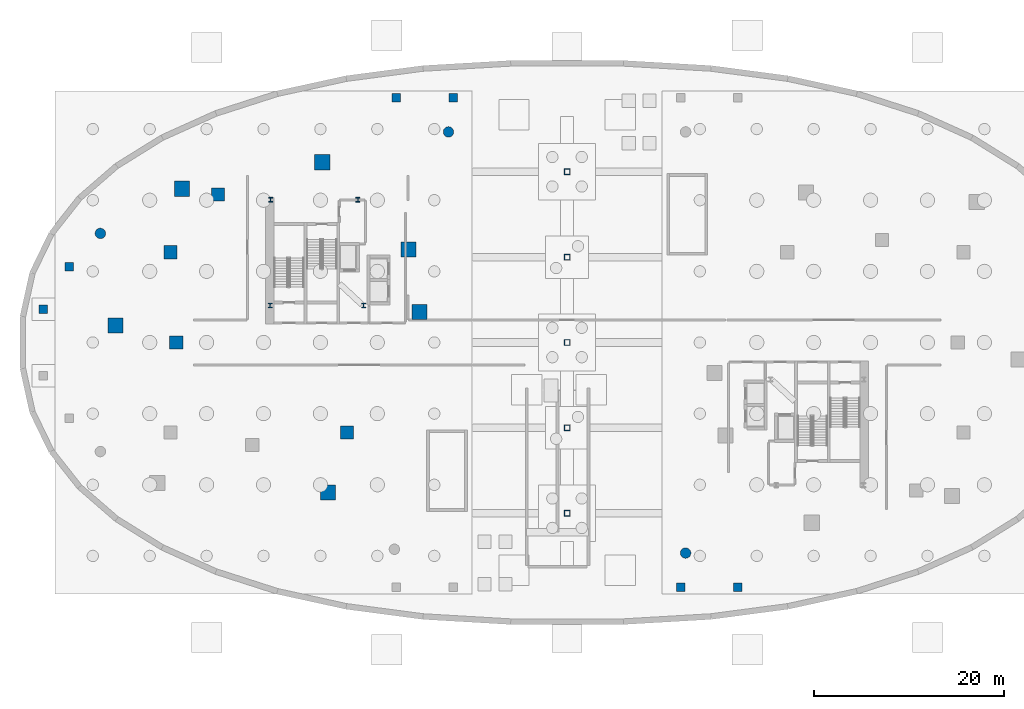
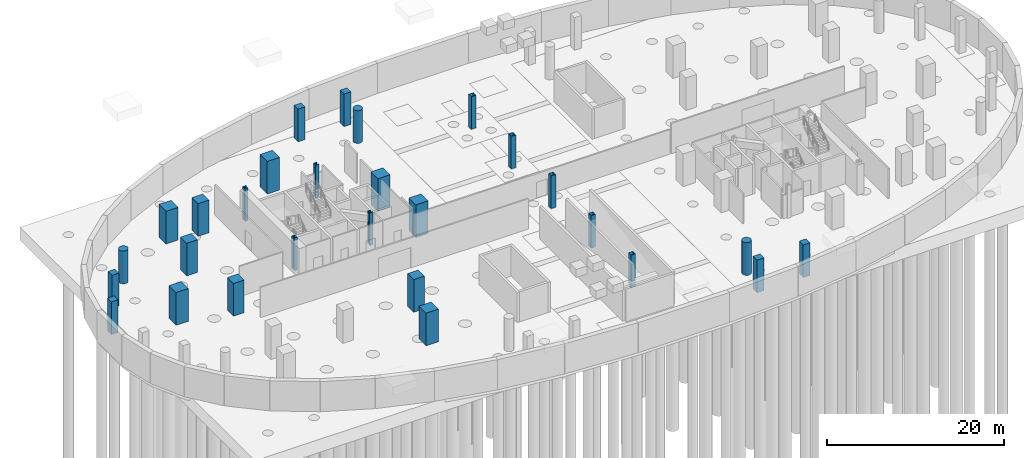
# One storey, part 2 of 10: 28 columns.
"""IFC4 building model written with IfcOpenShell, lengths in metres."""

from ifc_helpers import new_model, si_unit, direction, frame, origin, origin_2d, place, context, subcontext, project, spatial, rectangle, hollow_rectangle, circle, i_section, extrude, material, material_profile, profile_set, type_object, element, save


model = new_model("IFC4")

# Units and contexts
model_context = context("Model", 3, precision=1e-05, world=origin(), true_north=direction((0.0, 1.0)))
body_context = subcontext(model_context, "Body", "Model", "MODEL_VIEW")
ifc_project = project(units=[si_unit("LENGTHUNIT", "METRE"), si_unit("AREAUNIT", "SQUARE_METRE"), si_unit("VOLUMEUNIT", "CUBIC_METRE"), si_unit("PLANEANGLEUNIT", "RADIAN"), si_unit("MASSUNIT", "GRAM", prefix="KILO"), si_unit("THERMODYNAMICTEMPERATUREUNIT", "KELVIN"), si_unit("POWERUNIT", "WATT")], contexts=[model_context])

# Site, building, storey
site_placement = place(None, origin())
site = spatial("IfcSite", under=ifc_project, at=site_placement, CompositionType="ELEMENT")
building_placement = place(site_placement, origin())
building = spatial("IfcBuilding", under=site, at=building_placement, Name="Cundina Bronze Exchange", CompositionType="ELEMENT")
storey_placement = place(building_placement, frame((0.0, 0.0, -9.0)))
storey = spatial("IfcBuildingStorey", under=building, at=storey_placement, Name="B02", CompositionType="ELEMENT", Elevation=-9.0)

# Columns
ifc_material_1 = material(Name="Concrete C60/75", Category="concrete")
ifc_material_profile_1 = material_profile(ifc_material_1, rectangle(XDim=1.39990234375, YDim=1.39990234375, at=origin_2d()), Name="RC1400X1400", Category="concrete")
ifc_profile_set_1 = profile_set([ifc_material_profile_1], Name="Concrete C60/75")
column_type_1 = type_object("IfcColumnType", Name="COL-MEGA-1400", PredefinedType="COLUMN", material=ifc_profile_set_1)
for number, where, z_axis, x_axis, name in (
    (1, (-41.199951171875, 0.0, 0.0), (0.0, 0.0, 1.0), (1.0, 0.0, 0.0), "B02 W Inner Ring Column 1"),
    (2, (-41.800048828125, 9.5, 0.0), (0.0, 0.0, 1.0), (1.0, 0.0, 0.0), "B02 W Inner Ring Column 2"),
    (3, (-36.800048828125, 15.60009765625, 0.0), (0.0, 0.0, 1.0), (1.0, 0.0, 0.0), "B02 W Inner Ring Column 3"),
    (4, (-23.199951171875, -9.5, 0.0), (0.0, 0.0, 1.0), (1.0, 0.0, 0.0), "B02 W Inner Ring Column 6"),
):
    element("IfcColumn", number, at=place(storey_placement, frame(where, z_axis=z_axis, x_axis=x_axis)), inside=storey, type_object=column_type_1, Name=name, PredefinedType="COLUMN", context=body_context, shape_type="SweptSolid", body=[
        extrude(rectangle(XDim=1.39990234375, YDim=1.39990234375, at=origin_2d()), origin(), (0.0, 0.0, 1.0), 4.5),
    ])
ifc_material_profile_2 = material_profile(ifc_material_1, rectangle(XDim=1.60009765625, YDim=1.60009765625, at=origin_2d()), Name="RC1600X1600", Category="concrete")
ifc_profile_set_2 = profile_set([ifc_material_profile_2], Name="Concrete C60/75")
column_type_2 = type_object("IfcColumnType", Name="COL-MEGA-1600", PredefinedType="COLUMN", material=ifc_profile_set_2)
for number, where, z_axis, x_axis, name in (
    (5, (-15.550048828125, 3.199951171875, 0.0), (0.0, 0.0, 1.0), (1.0, 0.0, 0.0), "B02 W Podium Mega-Column 00"),
    (6, (-16.699951171875, 9.800048828125, 0.0), (0.0, 0.0, 1.0), (1.0, 0.0, 0.0), "B02 W Podium Mega-Column 02"),
    (7, (-25.800048828125, 19.0, 0.0), (0.0, 0.0, 1.0), (1.0, 0.0, 0.0), "B02 W Podium Mega-Column 04"),
    (8, (-40.60009765625, 16.199951171875, 0.0), (0.0, 0.0, 1.0), (1.0, 0.0, 0.0), "B02 W Podium Mega-Column 06"),
    (9, (-47.60009765625, 1.800048828125, 0.0), (0.0, 0.0, 1.0), (1.0, 0.0, 0.0), "B02 W Podium Mega-Column 08"),
    (10, (-25.199951171875, -15.800048828125, 0.0), (0.0, 0.0, 1.0), (1.0, 0.0, 0.0), "B02 W Podium Mega-Column 12"),
):
    element("IfcColumn", number, at=place(storey_placement, frame(where, z_axis=z_axis, x_axis=x_axis)), inside=storey, type_object=column_type_2, Name=name, PredefinedType="COLUMN", context=body_context, shape_type="SweptSolid", body=[
        extrude(rectangle(XDim=1.60009765625, YDim=1.60009765625, at=origin_2d()), origin(), (0.0, 0.0, 1.0), 4.5),
    ])
ifc_material_profile_3 = material_profile(ifc_material_1, circle(Radius=0.550048828125, at=origin_2d()), Name="RC1100D", Category="concrete")
ifc_profile_set_3 = profile_set([ifc_material_profile_3], Name="Concrete C60/75")
column_type_3 = type_object("IfcColumnType", Name="COL-PIL-1100D", PredefinedType="PILASTER", material=ifc_profile_set_3)
for number, where, z_axis, x_axis, name in (
    (11, (-49.199951171875, 11.5, 0.0), (0.0, 0.0, 1.0), (1.0, 0.0, 0.0), "B02 Podium Colonnade Pilaster 01"),
    (12, (-12.5, 22.199951171875, 0.0), (0.0, 0.0, 1.0), (1.0, 0.0, 0.0), "B02 Podium Colonnade Pilaster 03"),
    (13, (12.5, -22.199951171875, 0.0), (0.0, 0.0, 1.0), (1.0, 0.0, 0.0), "B02 Podium Colonnade Pilaster 05"),
):
    element("IfcColumn", number, at=place(storey_placement, frame(where, z_axis=z_axis, x_axis=x_axis)), inside=storey, type_object=column_type_3, Name=name, PredefinedType="PILASTER", context=body_context, shape_type="SweptSolid", body=[
        extrude(circle(Radius=0.550048828125, at=origin_2d()), origin(), (0.0, 0.0, 1.0), 4.5),
    ])
ifc_material_2 = material(Name="Steel ASTM A501 Grade B", Category="steel")
ifc_material_profile_4 = material_profile(ifc_material_2, hollow_rectangle(XDim=0.60009765625, YDim=0.60009765625, WallThickness=0.031982421875, at=origin_2d()), Name="HSS600X600X32", Category="steel")
ifc_profile_set_4 = profile_set([ifc_material_profile_4], Name="Steel ASTM A501 Grade B")
column_type_4 = type_object("IfcColumnType", Name="COL-STL-HSS6", PredefinedType="COLUMN", material=ifc_profile_set_4)
for number, where, z_axis, x_axis, name in (
    (14, (0.0, -18.0, 0.0), (0.0, 0.0, 1.0), (1.0, 0.0, 0.0), "B02 Concourse Spine Column 01"),
    (15, (0.0, -9.0, 0.0), (0.0, 0.0, 1.0), (1.0, 0.0, 0.0), "B02 Concourse Spine Column 02"),
    (16, (0.0, 0.0, 0.0), (0.0, 0.0, 1.0), (1.0, 0.0, 0.0), "B02 Concourse Spine Column 03"),
    (17, (0.0, 9.0, 0.0), (0.0, 0.0, 1.0), (1.0, 0.0, 0.0), "B02 Concourse Spine Column 04"),
    (18, (0.0, 18.0, 0.0), (0.0, 0.0, 1.0), (1.0, 0.0, 0.0), "B02 Concourse Spine Column 05"),
):
    element("IfcColumn", number, at=place(storey_placement, frame(where, z_axis=z_axis, x_axis=x_axis)), inside=storey, type_object=column_type_4, Name=name, PredefinedType="COLUMN", context=body_context, shape_type="SweptSolid", body=[
        extrude(hollow_rectangle(XDim=0.60009765625, YDim=0.60009765625, WallThickness=0.031982421875, at=origin_2d()), origin(), (0.0, 0.0, 1.0), 4.5),
    ])
ifc_material_3 = material(Name="Steel ASTM A992 Grade 50", Category="steel")
ifc_material_profile_5 = material_profile(ifc_material_3, i_section(OverallWidth=0.431884765625, OverallDepth=0.498046875, WebThickness=0.0556640625, FlangeThickness=0.0888671875, FilletRadius=0.01806640625, at=origin_2d()), Name="W14X500", Category="steel")
ifc_profile_set_5 = profile_set([ifc_material_profile_5], Name="Steel ASTM A992 Grade 50")
column_type_5 = type_object("IfcColumnType", Name="COL-STL-W14A", PredefinedType="COLUMN", material=ifc_profile_set_5)
for number, where, z_axis, x_axis, name in (
    (19, (-31.300048828125, 3.89990234375, 0.0), (0.0, 0.0, 1.0), (1.0, 0.0, 0.0), "B02 Core Anchor Column W1"),
    (20, (-21.449951171875, 3.89990234375, 0.0), (0.0, 0.0, 1.0), (1.0, 0.0, 0.0), "B02 Core Anchor Column W2"),
    (21, (-22.050048828125, 15.050048828125, 0.0), (0.0, 0.0, 1.0), (1.0, 0.0, 0.0), "B02 Core Anchor Column W3"),
    (22, (-31.25, 15.050048828125, 0.0), (0.0, 0.0, 1.0), (1.0, 0.0, 0.0), "B02 Core Anchor Column W4"),
):
    element("IfcColumn", number, at=place(storey_placement, frame(where, z_axis=z_axis, x_axis=x_axis)), inside=storey, type_object=column_type_5, Name=name, PredefinedType="COLUMN", context=body_context, shape_type="SweptSolid", body=[
        extrude(i_section(OverallWidth=0.431884765625, OverallDepth=0.498046875, WebThickness=0.0556640625, FlangeThickness=0.0888671875, FilletRadius=0.01806640625, at=origin_2d()), origin(), (0.0, 0.0, 1.0), 4.5),
    ])
ifc_material_4 = material(Name="Concrete C50/60", Category="concrete")
ifc_material_profile_6 = material_profile(ifc_material_4, rectangle(XDim=0.89990234375, YDim=0.89990234375, at=origin_2d()), Name="RC900X900", Category="concrete")
ifc_profile_set_6 = profile_set([ifc_material_profile_6], Name="Concrete C50/60")
column_type_6 = type_object("IfcColumnType", Name="COL-Z4-900", PredefinedType="COLUMN", material=ifc_profile_set_6)
for number, where, z_axis, x_axis, name in (
    (23, (-52.5, 8.0, 0.0), (0.0, 0.0, 1.0), (1.0, 0.0, 0.0), "B02 Podium Crescent Wing Column W2"),
    (24, (-55.199951171875, 3.5, 0.0), (0.0, 0.0, 1.0), (1.0, 0.0, 0.0), "B02 Podium Crescent Wing Column W4"),
    (25, (12.0, -25.800048828125, 0.0), (0.0, 0.0, 1.0), (1.0, 0.0, 0.0), "B02 Canopy Support Pier 03"),
    (26, (18.0, -25.800048828125, 0.0), (0.0, 0.0, 1.0), (1.0, 0.0, 0.0), "B02 Canopy Support Pier 04"),
    (27, (-18.0, 25.800048828125, 0.0), (0.0, 0.0, 1.0), (1.0, 0.0, 0.0), "B02 North Canopy Support Pier 05"),
    (28, (-12.0, 25.800048828125, 0.0), (0.0, 0.0, 1.0), (1.0, 0.0, 0.0), "B02 North Canopy Support Pier 06"),
):
    element("IfcColumn", number, at=place(storey_placement, frame(where, z_axis=z_axis, x_axis=x_axis)), inside=storey, type_object=column_type_6, Name=name, PredefinedType="COLUMN", context=body_context, shape_type="SweptSolid", body=[
        extrude(rectangle(XDim=0.89990234375, YDim=0.89990234375, at=origin_2d()), origin(), (0.0, 0.0, 1.0), 4.5),
    ])

save(model, "model.ifc")
